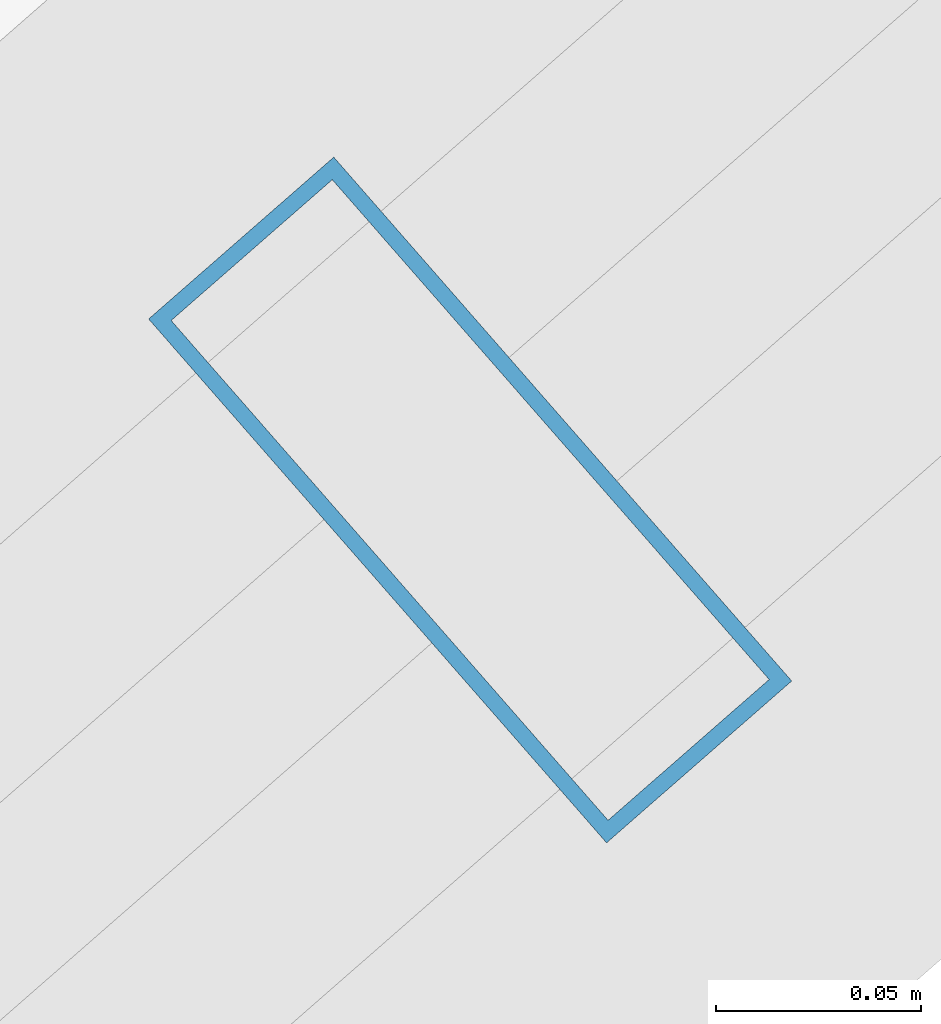
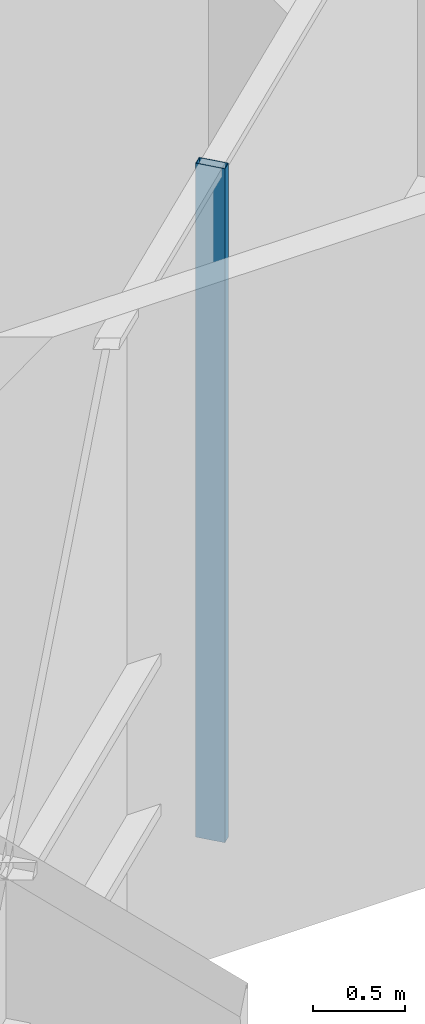
# One storey, part 16 of 36: 1 member, 1 element without a shape of its own.
"""IFC4 building model written with IfcOpenShell, lengths in metres."""

from ifc_helpers import new_model, si_unit, direction, frame, origin, origin_2d, place, context, subcontext, project, spatial, hollow_rectangle, extrude, source, transform, mapped, material, layer, layer_set, material_profile, profile_set, type_object, element, aggregate, save


model = new_model("IFC4")

# Units and contexts
model_context = context("Model", 3, precision=1e-05, world=origin(), true_north=direction((0.0, 1.0)))
body_context = subcontext(model_context, "Body", "Model", "MODEL_VIEW")
ifc_project = project(units=[si_unit("LENGTHUNIT", "METRE"), si_unit("AREAUNIT", "SQUARE_METRE"), si_unit("VOLUMEUNIT", "CUBIC_METRE"), si_unit("PLANEANGLEUNIT", "RADIAN"), si_unit("MASSUNIT", "GRAM", prefix="KILO")], contexts=[model_context])

# Site, building, storey
site_placement = place(None, origin())
site = spatial("IfcSite", under=ifc_project, at=site_placement, CompositionType="ELEMENT")
building_placement = place(site_placement, origin())
building = spatial("IfcBuilding", under=site, at=building_placement, Name="Veraguas Prism Commons", CompositionType="ELEMENT")
storey_placement = place(building_placement, frame((0.0, 0.0, 169.550048828125)))
storey = spatial("IfcBuildingStorey", under=building, at=storey_placement, Name="L48", CompositionType="ELEMENT", Elevation=169.550048828125)

# Curtain wall, member
ifc_material = material(Name="Anodised aluminium EN AW-6063 T6", Category="aluminium")
ifc_layer = layer(ifc_material, 0.169921875, Name="Unitised Flush Curtain Wall Zone 2", Category="aluminium")
ifc_layer_set = layer_set([ifc_layer], Name="Anodised aluminium EN AW-6063 T6")
curtain_wall_type = type_object("IfcCurtainWallType", Name="Unitised Flush Curtain Wall Zone 2", PredefinedType="NOTDEFINED", material=ifc_layer_set)
curtain_wall_placement = place(storey_placement, origin())
curtain_wall = element("IfcCurtainWall", 1, at=curtain_wall_placement, inside=storey, type_object=curtain_wall_type, Name="Tower Facade Curtain Wall L48-F5", PredefinedType="NOTDEFINED")
ifc_material_profile = material_profile(ifc_material, hollow_rectangle(XDim=0.06005859375, YDim=0.169921875, WallThickness=0.00390625, at=origin_2d()), Name="AL60X170X4")
ifc_profile_set = profile_set([ifc_material_profile], Name="Anodised aluminium EN AW-6063 T6")
member_type = type_object("IfcMemberType", Name="Curtain Wall Mullion Lower AL 60x170x4", PredefinedType="MULLION", material=ifc_profile_set)
shared_shape = source(origin(), body_context, "Body", "SweptSolid", [
    extrude(hollow_rectangle(XDim=0.06005859375, YDim=0.169921875, WallThickness=0.00390625, at=origin_2d()), origin(), (0.0, 0.0, 1.0), 4.47998046875),
])
member_placement = place(storey_placement, frame((36.625244140625, 9.55810546875, 0.0), z_axis=(0.0, 0.0, 1.0), x_axis=(0.752872280062, 0.658166642967, 0.0)))
member = element("IfcMember", 2, at=member_placement, type_object=member_type, Name="CW-Z2 Mullion 3", PredefinedType="MULLION", context=body_context, shape_type="MappedRepresentation", body=[
    mapped(shared_shape, transform((0.0, 0.0, 0.0), scale=1.0)),
])
aggregate(curtain_wall, [member])

save(model, "model.ifc")
